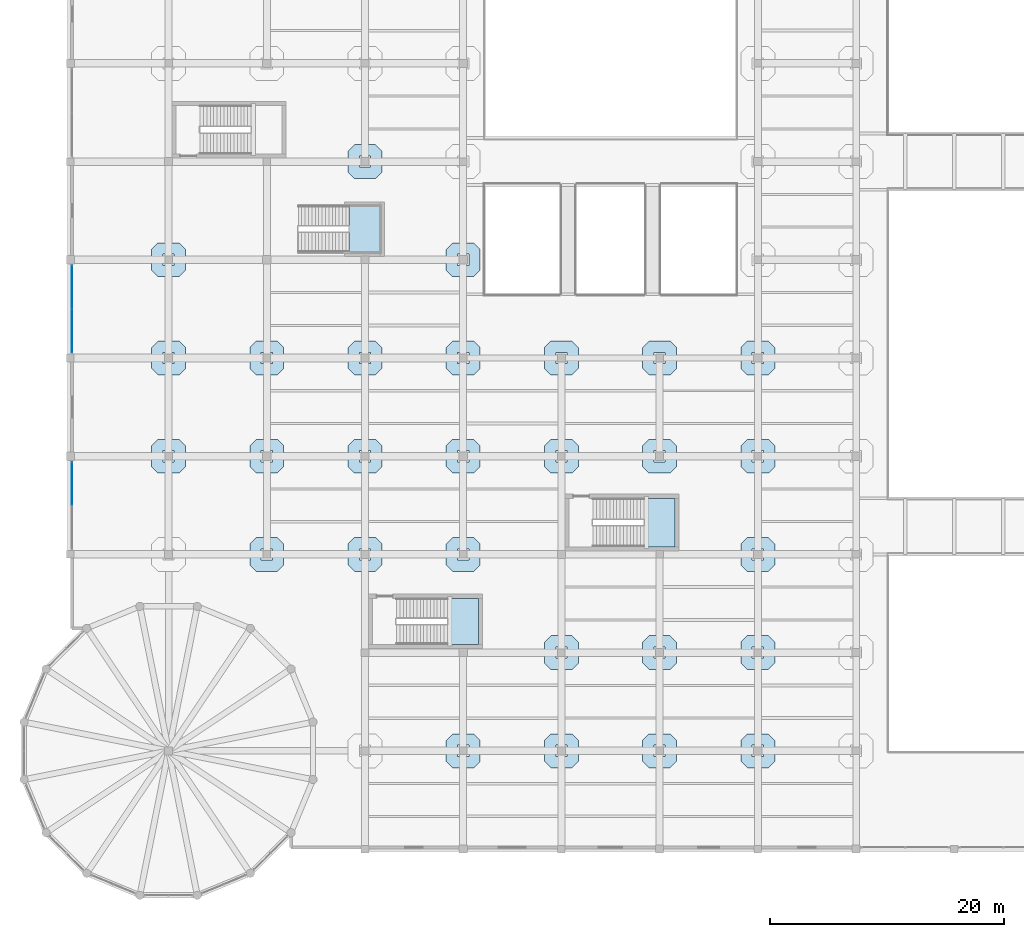
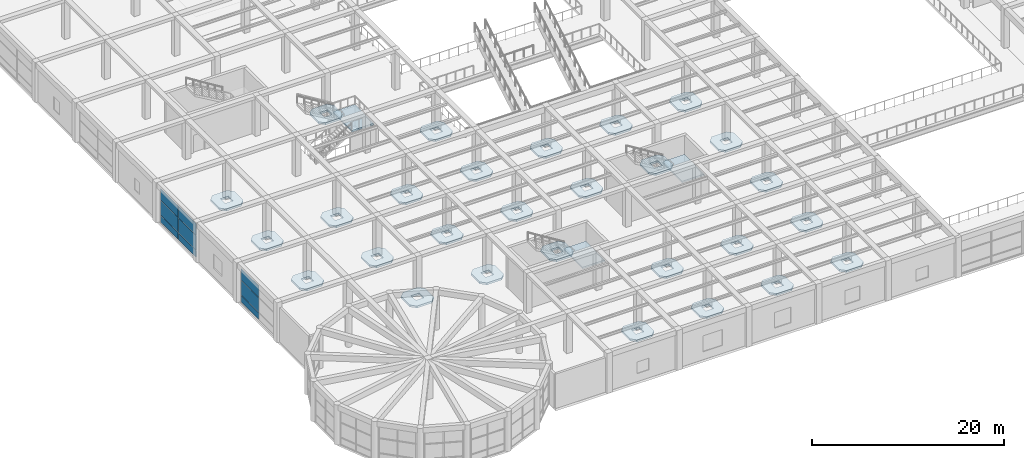
# One storey, part 69 of 95: 31 slabs, 9 plates, 5 elements without a shape of their own.
"""IFC4 building model written with IfcOpenShell, lengths in metres."""

from ifc_helpers import new_model, si_unit, direction, frame, origin, origin_2d, place, context, subcontext, project, spatial, polyline, rectangle, outline, extrude, material, layer, layer_set, type_object, element, aggregate, save


model = new_model("IFC4")

# Units and contexts
model_context = context("Model", 3, precision=1e-05, world=origin(), true_north=direction((0.0, 1.0)))
body_context = subcontext(model_context, "Body", "Model", "MODEL_VIEW")
ifc_project = project(units=[si_unit("LENGTHUNIT", "METRE"), si_unit("AREAUNIT", "SQUARE_METRE"), si_unit("VOLUMEUNIT", "CUBIC_METRE"), si_unit("PLANEANGLEUNIT", "RADIAN"), si_unit("MASSUNIT", "GRAM", prefix="KILO")], contexts=[model_context])

# Site, building, storey
site_placement = place(None, origin())
site = spatial("IfcSite", under=ifc_project, at=site_placement, CompositionType="ELEMENT")
building_placement = place(site_placement, origin())
building = spatial("IfcBuilding", under=site, at=building_placement, Name="Almacenes y Pasaje Nevantli", CompositionType="ELEMENT")
storey_placement = place(building_placement, frame((0.0, 0.0, 11.39990234375)))
storey = spatial("IfcBuildingStorey", under=building, at=storey_placement, Name="L03", CompositionType="ELEMENT", Elevation=11.39990234375)

# Curtain wall, plates
ifc_material_1 = material(Name="Thermally Broken Aluminium and Low-E Glass", Category="aluminium")
curtain_wall_type = type_object("IfcCurtainWallType", Name="CW-UNIT-PODIUM", PredefinedType="USERDEFINED", material=ifc_material_1)
curtain_wall_1_placement = place(storey_placement, origin())
curtain_wall_1 = element("IfcCurtainWall", 1, at=curtain_wall_1_placement, inside=storey, type_object=curtain_wall_type, Name="L03 West Avenue Unitized Curtain Wall Bay 4", ObjectType="UNITIZED CURTAIN WALL", PredefinedType="USERDEFINED")
ifc_material_2 = material(Name="Low-E Double Glazed Insulated Unit", Category="glass")
ifc_layer_1 = layer(ifc_material_2, 0.031982421875)
ifc_layer_set_1 = layer_set([ifc_layer_1], Name="Low-E Double Glazed Insulated Unit")
plate_type = type_object("IfcPlateType", Name="PL-IGU-32", PredefinedType="CURTAIN_PANEL", material=ifc_layer_set_1)
plate_1_placement = place(storey_placement, frame((0.14990234375, 31.26123046875, 0.05517578125), z_axis=(0.0, 0.0, 1.0), x_axis=(0.0, 1.0, 0.0)))
plate_1 = element("IfcPlate", 2, at=plate_1_placement, type_object=plate_type, Name="CW-L03-048 panel 2.1", PredefinedType="CURTAIN_PANEL", context=body_context, shape_type="SweptSolid", body=[
    extrude(rectangle(XDim=3.66748046875, YDim=0.031982421875, at=origin_2d()), origin(), (0.0, 0.0, 1.0), 0.867431640625),
])
plate_2_placement = place(storey_placement, frame((0.14990234375, 31.26123046875, 0.9775390625), z_axis=(0.0, 0.0, 1.0), x_axis=(0.0, 1.0, 0.0)))
plate_2 = element("IfcPlate", 3, at=plate_2_placement, type_object=plate_type, Name="CW-L03-048 panel 2.2", PredefinedType="CURTAIN_PANEL", context=body_context, shape_type="SweptSolid", body=[
    extrude(rectangle(XDim=3.66748046875, YDim=0.031982421875, at=origin_2d()), origin(), (0.0, 0.0, 1.0), 1.844970703125),
])
plate_3_placement = place(storey_placement, frame((0.14990234375, 31.26123046875, 2.87744140625), z_axis=(0.0, 0.0, 1.0), x_axis=(0.0, 1.0, 0.0)))
plate_3 = element("IfcPlate", 4, at=plate_3_placement, type_object=plate_type, Name="CW-L03-048 panel 2.3", PredefinedType="CURTAIN_PANEL", context=body_context, shape_type="SweptSolid", body=[
    extrude(rectangle(XDim=3.66748046875, YDim=0.031982421875, at=origin_2d()), origin(), (0.0, 0.0, 1.0), 1.447509765625),
])
aggregate(curtain_wall_1, [plate_1, plate_2, plate_3])

curtain_wall_2_placement = place(storey_placement, origin())
curtain_wall_2 = element("IfcCurtainWall", 5, at=curtain_wall_2_placement, inside=storey, type_object=curtain_wall_type, Name="L03 West Avenue Unitized Curtain Wall Bay 6", ObjectType="UNITIZED CURTAIN WALL", PredefinedType="USERDEFINED")
plate_4_placement = place(storey_placement, frame((0.14990234375, 44.3388671875, 0.05517578125), z_axis=(0.0, 0.0, 1.0), x_axis=(0.0, 1.0, 0.0)))
plate_4 = element("IfcPlate", 6, at=plate_4_placement, type_object=plate_type, Name="CW-L03-049 panel 1.1", PredefinedType="CURTAIN_PANEL", context=body_context, shape_type="SweptSolid", body=[
    extrude(rectangle(XDim=3.66748046875, YDim=0.031982421875, at=origin_2d()), origin(), (0.0, 0.0, 1.0), 0.867431640625),
])
plate_5_placement = place(storey_placement, frame((0.14990234375, 44.3388671875, 0.9775390625), z_axis=(0.0, 0.0, 1.0), x_axis=(0.0, 1.0, 0.0)))
plate_5 = element("IfcPlate", 7, at=plate_5_placement, type_object=plate_type, Name="CW-L03-049 panel 1.2", PredefinedType="CURTAIN_PANEL", context=body_context, shape_type="SweptSolid", body=[
    extrude(rectangle(XDim=3.66748046875, YDim=0.031982421875, at=origin_2d()), origin(), (0.0, 0.0, 1.0), 1.844970703125),
])
plate_6_placement = place(storey_placement, frame((0.14990234375, 44.3388671875, 2.87744140625), z_axis=(0.0, 0.0, 1.0), x_axis=(0.0, 1.0, 0.0)))
plate_6 = element("IfcPlate", 8, at=plate_6_placement, type_object=plate_type, Name="CW-L03-049 panel 1.3", PredefinedType="CURTAIN_PANEL", context=body_context, shape_type="SweptSolid", body=[
    extrude(rectangle(XDim=3.66748046875, YDim=0.031982421875, at=origin_2d()), origin(), (0.0, 0.0, 1.0), 1.447509765625),
])
plate_7_placement = place(storey_placement, frame((0.14990234375, 48.061279296875, 0.05517578125), z_axis=(0.0, 0.0, 1.0), x_axis=(0.0, 1.0, 0.0)))
plate_7 = element("IfcPlate", 9, at=plate_7_placement, type_object=plate_type, Name="CW-L03-049 panel 2.1", PredefinedType="CURTAIN_PANEL", context=body_context, shape_type="SweptSolid", body=[
    extrude(rectangle(XDim=3.66748046875, YDim=0.031982421875, at=origin_2d()), origin(), (0.0, 0.0, 1.0), 0.867431640625),
])
plate_8_placement = place(storey_placement, frame((0.14990234375, 48.061279296875, 0.9775390625), z_axis=(0.0, 0.0, 1.0), x_axis=(0.0, 1.0, 0.0)))
plate_8 = element("IfcPlate", 10, at=plate_8_placement, type_object=plate_type, Name="CW-L03-049 panel 2.2", PredefinedType="CURTAIN_PANEL", context=body_context, shape_type="SweptSolid", body=[
    extrude(rectangle(XDim=3.66748046875, YDim=0.031982421875, at=origin_2d()), origin(), (0.0, 0.0, 1.0), 1.844970703125),
])
plate_9_placement = place(storey_placement, frame((0.14990234375, 48.061279296875, 2.87744140625), z_axis=(0.0, 0.0, 1.0), x_axis=(0.0, 1.0, 0.0)))
plate_9 = element("IfcPlate", 11, at=plate_9_placement, type_object=plate_type, Name="CW-L03-049 panel 2.3", PredefinedType="CURTAIN_PANEL", context=body_context, shape_type="SweptSolid", body=[
    extrude(rectangle(XDim=3.66748046875, YDim=0.031982421875, at=origin_2d()), origin(), (0.0, 0.0, 1.0), 1.447509765625),
])
aggregate(curtain_wall_2, [plate_4, plate_5, plate_6, plate_7, plate_8, plate_9])

# Slabs
ifc_material_3 = material(Name="Concrete C35/45", Category="concrete")
ifc_layer_2 = layer(ifc_material_3, 0.25)
ifc_layer_set_2 = layer_set([ifc_layer_2], Name="Concrete C35/45")
slab_type_1 = type_object("IfcSlabType", Name="SLB-DP-250", PredefinedType="USERDEFINED", material=ifc_layer_set_2)
slab_1_placement = place(storey_placement, frame((0.0, 0.0, -0.5498046875)))
element("IfcSlab", 12, at=slab_1_placement, inside=storey, type_object=slab_type_1, Name="L03 Punching-Shear Drop Panel DP-02 #576", ObjectType="DROP PANEL", PredefinedType="USERDEFINED", context=body_context, shape_type="SweptSolid", body=[
    extrude(outline(polyline([(7.5, 32.14990234375), (9.300048828125, 32.14990234375), (9.85009765625, 32.699951171875), (9.85009765625, 34.5), (9.300048828125, 35.050048828125), (7.5, 35.050048828125), (6.949951171875, 34.5), (6.949951171875, 32.699951171875), (7.5, 32.14990234375)]), holes=[polyline([(7.919921875, 33.1201171875), (8.8798828125, 33.1201171875), (8.8798828125, 34.080078125), (7.919921875, 34.080078125), (7.919921875, 33.1201171875)])]), origin(), (0.0, 0.0, 1.0), 0.25),
])
slab_2_placement = place(storey_placement, frame((0.0, 0.0, -0.5498046875)))
element("IfcSlab", 13, at=slab_2_placement, inside=storey, type_object=slab_type_1, Name="L03 Punching-Shear Drop Panel DP-02 #577", ObjectType="DROP PANEL", PredefinedType="USERDEFINED", context=body_context, shape_type="SweptSolid", body=[
    extrude(outline(polyline([(7.5, 40.550048828125), (9.300048828125, 40.550048828125), (9.85009765625, 41.10009765625), (9.85009765625, 42.89990234375), (9.300048828125, 43.449951171875), (7.5, 43.449951171875), (6.949951171875, 42.89990234375), (6.949951171875, 41.10009765625), (7.5, 40.550048828125)]), holes=[polyline([(7.919921875, 41.52001953125), (8.8798828125, 41.52001953125), (8.8798828125, 42.47998046875), (7.919921875, 42.47998046875), (7.919921875, 41.52001953125)])]), origin(), (0.0, 0.0, 1.0), 0.25),
])
slab_3_placement = place(storey_placement, frame((0.0, 0.0, -0.5498046875)))
element("IfcSlab", 14, at=slab_3_placement, inside=storey, type_object=slab_type_1, Name="L03 Punching-Shear Drop Panel DP-02 #578", ObjectType="DROP PANEL", PredefinedType="USERDEFINED", context=body_context, shape_type="SweptSolid", body=[
    extrude(outline(polyline([(7.5, 48.949951171875), (9.300048828125, 48.949951171875), (9.85009765625, 49.5), (9.85009765625, 51.300048828125), (9.300048828125, 51.85009765625), (7.5, 51.85009765625), (6.949951171875, 51.300048828125), (6.949951171875, 49.5), (7.5, 48.949951171875)]), holes=[polyline([(7.919921875, 49.919921875), (8.8798828125, 49.919921875), (8.8798828125, 50.8798828125), (7.919921875, 50.8798828125), (7.919921875, 49.919921875)])]), origin(), (0.0, 0.0, 1.0), 0.25),
])
slab_4_placement = place(storey_placement, frame((0.0, 0.0, -0.5498046875)))
element("IfcSlab", 15, at=slab_4_placement, inside=storey, type_object=slab_type_1, Name="L03 Punching-Shear Drop Panel DP-02 #584", ObjectType="DROP PANEL", PredefinedType="USERDEFINED", context=body_context, shape_type="SweptSolid", body=[
    extrude(outline(polyline([(15.89990234375, 23.75), (17.699951171875, 23.75), (18.25, 24.300048828125), (18.25, 26.10009765625), (17.699951171875, 26.64990234375), (15.89990234375, 26.64990234375), (15.35009765625, 26.10009765625), (15.35009765625, 24.300048828125), (15.89990234375, 23.75)]), holes=[polyline([(16.320068359375, 24.719970703125), (17.280029296875, 24.719970703125), (17.280029296875, 25.679931640625), (16.320068359375, 25.679931640625), (16.320068359375, 24.719970703125)])]), origin(), (0.0, 0.0, 1.0), 0.25),
])
slab_5_placement = place(storey_placement, frame((0.0, 0.0, -0.5498046875)))
element("IfcSlab", 16, at=slab_5_placement, inside=storey, type_object=slab_type_1, Name="L03 Punching-Shear Drop Panel DP-02 #585", ObjectType="DROP PANEL", PredefinedType="USERDEFINED", context=body_context, shape_type="SweptSolid", body=[
    extrude(outline(polyline([(15.89990234375, 32.14990234375), (17.699951171875, 32.14990234375), (18.25, 32.699951171875), (18.25, 34.5), (17.699951171875, 35.050048828125), (15.89990234375, 35.050048828125), (15.35009765625, 34.5), (15.35009765625, 32.699951171875), (15.89990234375, 32.14990234375)]), holes=[polyline([(16.320068359375, 33.1201171875), (17.280029296875, 33.1201171875), (17.280029296875, 34.080078125), (16.320068359375, 34.080078125), (16.320068359375, 33.1201171875)])]), origin(), (0.0, 0.0, 1.0), 0.25),
])
slab_6_placement = place(storey_placement, frame((0.0, 0.0, -0.5498046875)))
element("IfcSlab", 17, at=slab_6_placement, inside=storey, type_object=slab_type_1, Name="L03 Punching-Shear Drop Panel DP-02 #586", ObjectType="DROP PANEL", PredefinedType="USERDEFINED", context=body_context, shape_type="SweptSolid", body=[
    extrude(outline(polyline([(15.89990234375, 40.550048828125), (17.699951171875, 40.550048828125), (18.25, 41.10009765625), (18.25, 42.89990234375), (17.699951171875, 43.449951171875), (15.89990234375, 43.449951171875), (15.35009765625, 42.89990234375), (15.35009765625, 41.10009765625), (15.89990234375, 40.550048828125)]), holes=[polyline([(16.320068359375, 41.52001953125), (17.280029296875, 41.52001953125), (17.280029296875, 42.47998046875), (16.320068359375, 42.47998046875), (16.320068359375, 41.52001953125)])]), origin(), (0.0, 0.0, 1.0), 0.25),
])
slab_7_placement = place(storey_placement, frame((0.0, 0.0, -0.5498046875)))
element("IfcSlab", 18, at=slab_7_placement, inside=storey, type_object=slab_type_1, Name="L03 Punching-Shear Drop Panel DP-02 #593", ObjectType="DROP PANEL", PredefinedType="USERDEFINED", context=body_context, shape_type="SweptSolid", body=[
    extrude(outline(polyline([(24.300048828125, 23.75), (26.10009765625, 23.75), (26.64990234375, 24.300048828125), (26.64990234375, 26.10009765625), (26.10009765625, 26.64990234375), (24.300048828125, 26.64990234375), (23.75, 26.10009765625), (23.75, 24.300048828125), (24.300048828125, 23.75)]), holes=[polyline([(24.719970703125, 24.719970703125), (25.679931640625, 24.719970703125), (25.679931640625, 25.679931640625), (24.719970703125, 25.679931640625), (24.719970703125, 24.719970703125)])]), origin(), (0.0, 0.0, 1.0), 0.25),
])
slab_8_placement = place(storey_placement, frame((0.0, 0.0, -0.5498046875)))
element("IfcSlab", 19, at=slab_8_placement, inside=storey, type_object=slab_type_1, Name="L03 Punching-Shear Drop Panel DP-02 #594", ObjectType="DROP PANEL", PredefinedType="USERDEFINED", context=body_context, shape_type="SweptSolid", body=[
    extrude(outline(polyline([(24.300048828125, 32.14990234375), (26.10009765625, 32.14990234375), (26.64990234375, 32.699951171875), (26.64990234375, 34.5), (26.10009765625, 35.050048828125), (24.300048828125, 35.050048828125), (23.75, 34.5), (23.75, 32.699951171875), (24.300048828125, 32.14990234375)]), holes=[polyline([(24.719970703125, 33.1201171875), (25.679931640625, 33.1201171875), (25.679931640625, 34.080078125), (24.719970703125, 34.080078125), (24.719970703125, 33.1201171875)])]), origin(), (0.0, 0.0, 1.0), 0.25),
])
slab_9_placement = place(storey_placement, frame((0.0, 0.0, -0.5498046875)))
element("IfcSlab", 20, at=slab_9_placement, inside=storey, type_object=slab_type_1, Name="L03 Punching-Shear Drop Panel DP-02 #595", ObjectType="DROP PANEL", PredefinedType="USERDEFINED", context=body_context, shape_type="SweptSolid", body=[
    extrude(outline(polyline([(24.300048828125, 40.550048828125), (26.10009765625, 40.550048828125), (26.64990234375, 41.10009765625), (26.64990234375, 42.89990234375), (26.10009765625, 43.449951171875), (24.300048828125, 43.449951171875), (23.75, 42.89990234375), (23.75, 41.10009765625), (24.300048828125, 40.550048828125)]), holes=[polyline([(24.719970703125, 41.52001953125), (25.679931640625, 41.52001953125), (25.679931640625, 42.47998046875), (24.719970703125, 42.47998046875), (24.719970703125, 41.52001953125)])]), origin(), (0.0, 0.0, 1.0), 0.25),
])
slab_10_placement = place(storey_placement, frame((0.0, 0.0, -0.5498046875)))
element("IfcSlab", 21, at=slab_10_placement, inside=storey, type_object=slab_type_1, Name="L03 Punching-Shear Drop Panel DP-02 #596", ObjectType="DROP PANEL", PredefinedType="USERDEFINED", context=body_context, shape_type="SweptSolid", body=[
    extrude(outline(polyline([(24.300048828125, 57.35009765625), (26.10009765625, 57.35009765625), (26.64990234375, 57.89990234375), (26.64990234375, 59.699951171875), (26.10009765625, 60.25), (24.300048828125, 60.25), (23.75, 59.699951171875), (23.75, 57.89990234375), (24.300048828125, 57.35009765625)]), holes=[polyline([(24.719970703125, 58.320068359375), (25.679931640625, 58.320068359375), (25.679931640625, 59.280029296875), (24.719970703125, 59.280029296875), (24.719970703125, 58.320068359375)])]), origin(), (0.0, 0.0, 1.0), 0.25),
])
slab_11_placement = place(storey_placement, frame((0.0, 0.0, -0.5498046875)))
element("IfcSlab", 22, at=slab_11_placement, inside=storey, type_object=slab_type_1, Name="L03 Punching-Shear Drop Panel DP-02 #603", ObjectType="DROP PANEL", PredefinedType="USERDEFINED", context=body_context, shape_type="SweptSolid", body=[
    extrude(outline(polyline([(32.699951171875, 6.949951171875), (34.5, 6.949951171875), (35.050048828125, 7.5), (35.050048828125, 9.300048828125), (34.5, 9.85009765625), (32.699951171875, 9.85009765625), (32.14990234375, 9.300048828125), (32.14990234375, 7.5), (32.699951171875, 6.949951171875)]), holes=[polyline([(33.1201171875, 7.919921875), (34.080078125, 7.919921875), (34.080078125, 8.8798828125), (33.1201171875, 8.8798828125), (33.1201171875, 7.919921875)])]), origin(), (0.0, 0.0, 1.0), 0.25),
])
slab_12_placement = place(storey_placement, frame((0.0, 0.0, -0.5498046875)))
element("IfcSlab", 23, at=slab_12_placement, inside=storey, type_object=slab_type_1, Name="L03 Punching-Shear Drop Panel DP-02 #604", ObjectType="DROP PANEL", PredefinedType="USERDEFINED", context=body_context, shape_type="SweptSolid", body=[
    extrude(outline(polyline([(32.699951171875, 23.75), (34.5, 23.75), (35.050048828125, 24.300048828125), (35.050048828125, 26.10009765625), (34.5, 26.64990234375), (32.699951171875, 26.64990234375), (32.14990234375, 26.10009765625), (32.14990234375, 24.300048828125), (32.699951171875, 23.75)]), holes=[polyline([(33.1201171875, 24.719970703125), (34.080078125, 24.719970703125), (34.080078125, 25.679931640625), (33.1201171875, 25.679931640625), (33.1201171875, 24.719970703125)])]), origin(), (0.0, 0.0, 1.0), 0.25),
])
slab_13_placement = place(storey_placement, frame((0.0, 0.0, -0.5498046875)))
element("IfcSlab", 24, at=slab_13_placement, inside=storey, type_object=slab_type_1, Name="L03 Punching-Shear Drop Panel DP-02 #605", ObjectType="DROP PANEL", PredefinedType="USERDEFINED", context=body_context, shape_type="SweptSolid", body=[
    extrude(outline(polyline([(32.699951171875, 32.14990234375), (34.5, 32.14990234375), (35.050048828125, 32.699951171875), (35.050048828125, 34.5), (34.5, 35.050048828125), (32.699951171875, 35.050048828125), (32.14990234375, 34.5), (32.14990234375, 32.699951171875), (32.699951171875, 32.14990234375)]), holes=[polyline([(33.1201171875, 33.1201171875), (34.080078125, 33.1201171875), (34.080078125, 34.080078125), (33.1201171875, 34.080078125), (33.1201171875, 33.1201171875)])]), origin(), (0.0, 0.0, 1.0), 0.25),
])
slab_14_placement = place(storey_placement, frame((0.0, 0.0, -0.5498046875)))
element("IfcSlab", 25, at=slab_14_placement, inside=storey, type_object=slab_type_1, Name="L03 Punching-Shear Drop Panel DP-02 #606", ObjectType="DROP PANEL", PredefinedType="USERDEFINED", context=body_context, shape_type="SweptSolid", body=[
    extrude(outline(polyline([(32.699951171875, 40.550048828125), (34.5, 40.550048828125), (35.050048828125, 41.10009765625), (35.050048828125, 42.89990234375), (34.5, 43.449951171875), (32.699951171875, 43.449951171875), (32.14990234375, 42.89990234375), (32.14990234375, 41.10009765625), (32.699951171875, 40.550048828125)]), holes=[polyline([(33.1201171875, 41.52001953125), (34.080078125, 41.52001953125), (34.080078125, 42.47998046875), (33.1201171875, 42.47998046875), (33.1201171875, 41.52001953125)])]), origin(), (0.0, 0.0, 1.0), 0.25),
])
slab_15_placement = place(storey_placement, frame((0.0, 0.0, -0.5498046875)))
element("IfcSlab", 26, at=slab_15_placement, inside=storey, type_object=slab_type_1, Name="L03 Punching-Shear Drop Panel DP-02 #607", ObjectType="DROP PANEL", PredefinedType="USERDEFINED", context=body_context, shape_type="SweptSolid", body=[
    extrude(outline(polyline([(32.699951171875, 48.949951171875), (34.5, 48.949951171875), (35.050048828125, 49.5), (35.050048828125, 51.300048828125), (34.5, 51.85009765625), (32.699951171875, 51.85009765625), (32.14990234375, 51.300048828125), (32.14990234375, 49.5), (32.699951171875, 48.949951171875)]), holes=[polyline([(33.1201171875, 49.919921875), (34.080078125, 49.919921875), (34.080078125, 50.8798828125), (33.1201171875, 50.8798828125), (33.1201171875, 49.919921875)])]), origin(), (0.0, 0.0, 1.0), 0.25),
])
slab_16_placement = place(storey_placement, frame((0.0, 0.0, -0.5498046875)))
element("IfcSlab", 27, at=slab_16_placement, inside=storey, type_object=slab_type_1, Name="L03 Punching-Shear Drop Panel DP-02 #614", ObjectType="DROP PANEL", PredefinedType="USERDEFINED", context=body_context, shape_type="SweptSolid", body=[
    extrude(outline(polyline([(41.10009765625, 6.949951171875), (42.89990234375, 6.949951171875), (43.449951171875, 7.5), (43.449951171875, 9.300048828125), (42.89990234375, 9.85009765625), (41.10009765625, 9.85009765625), (40.550048828125, 9.300048828125), (40.550048828125, 7.5), (41.10009765625, 6.949951171875)]), holes=[polyline([(41.52001953125, 7.919921875), (42.47998046875, 7.919921875), (42.47998046875, 8.8798828125), (41.52001953125, 8.8798828125), (41.52001953125, 7.919921875)])]), origin(), (0.0, 0.0, 1.0), 0.25),
])
slab_17_placement = place(storey_placement, frame((0.0, 0.0, -0.5498046875)))
element("IfcSlab", 28, at=slab_17_placement, inside=storey, type_object=slab_type_1, Name="L03 Punching-Shear Drop Panel DP-02 #615", ObjectType="DROP PANEL", PredefinedType="USERDEFINED", context=body_context, shape_type="SweptSolid", body=[
    extrude(outline(polyline([(41.10009765625, 15.35009765625), (42.89990234375, 15.35009765625), (43.449951171875, 15.89990234375), (43.449951171875, 17.699951171875), (42.89990234375, 18.25), (41.10009765625, 18.25), (40.550048828125, 17.699951171875), (40.550048828125, 15.89990234375), (41.10009765625, 15.35009765625)]), holes=[polyline([(41.52001953125, 16.320068359375), (42.47998046875, 16.320068359375), (42.47998046875, 17.280029296875), (41.52001953125, 17.280029296875), (41.52001953125, 16.320068359375)])]), origin(), (0.0, 0.0, 1.0), 0.25),
])
slab_18_placement = place(storey_placement, frame((0.0, 0.0, -0.5498046875)))
element("IfcSlab", 29, at=slab_18_placement, inside=storey, type_object=slab_type_1, Name="L03 Punching-Shear Drop Panel DP-02 #616", ObjectType="DROP PANEL", PredefinedType="USERDEFINED", context=body_context, shape_type="SweptSolid", body=[
    extrude(outline(polyline([(41.10009765625, 32.14990234375), (42.89990234375, 32.14990234375), (43.449951171875, 32.699951171875), (43.449951171875, 34.5), (42.89990234375, 35.050048828125), (41.10009765625, 35.050048828125), (40.550048828125, 34.5), (40.550048828125, 32.699951171875), (41.10009765625, 32.14990234375)]), holes=[polyline([(41.52001953125, 33.1201171875), (42.47998046875, 33.1201171875), (42.47998046875, 34.080078125), (41.52001953125, 34.080078125), (41.52001953125, 33.1201171875)])]), origin(), (0.0, 0.0, 1.0), 0.25),
])
slab_19_placement = place(storey_placement, frame((0.0, 0.0, -0.5498046875)))
element("IfcSlab", 30, at=slab_19_placement, inside=storey, type_object=slab_type_1, Name="L03 Punching-Shear Drop Panel DP-02 #617", ObjectType="DROP PANEL", PredefinedType="USERDEFINED", context=body_context, shape_type="SweptSolid", body=[
    extrude(outline(polyline([(41.10009765625, 40.550048828125), (42.89990234375, 40.550048828125), (43.449951171875, 41.10009765625), (43.449951171875, 42.89990234375), (42.89990234375, 43.449951171875), (41.10009765625, 43.449951171875), (40.550048828125, 42.89990234375), (40.550048828125, 41.10009765625), (41.10009765625, 40.550048828125)]), holes=[polyline([(41.52001953125, 41.52001953125), (42.47998046875, 41.52001953125), (42.47998046875, 42.47998046875), (41.52001953125, 42.47998046875), (41.52001953125, 41.52001953125)])]), origin(), (0.0, 0.0, 1.0), 0.25),
])
slab_20_placement = place(storey_placement, frame((0.0, 0.0, -0.5498046875)))
element("IfcSlab", 31, at=slab_20_placement, inside=storey, type_object=slab_type_1, Name="L03 Punching-Shear Drop Panel DP-02 #622", ObjectType="DROP PANEL", PredefinedType="USERDEFINED", context=body_context, shape_type="SweptSolid", body=[
    extrude(outline(polyline([(49.5, 6.949951171875), (51.300048828125, 6.949951171875), (51.85009765625, 7.5), (51.85009765625, 9.300048828125), (51.300048828125, 9.85009765625), (49.5, 9.85009765625), (48.949951171875, 9.300048828125), (48.949951171875, 7.5), (49.5, 6.949951171875)]), holes=[polyline([(49.919921875, 7.919921875), (50.8798828125, 7.919921875), (50.8798828125, 8.8798828125), (49.919921875, 8.8798828125), (49.919921875, 7.919921875)])]), origin(), (0.0, 0.0, 1.0), 0.25),
])
slab_21_placement = place(storey_placement, frame((0.0, 0.0, -0.5498046875)))
element("IfcSlab", 32, at=slab_21_placement, inside=storey, type_object=slab_type_1, Name="L03 Punching-Shear Drop Panel DP-02 #623", ObjectType="DROP PANEL", PredefinedType="USERDEFINED", context=body_context, shape_type="SweptSolid", body=[
    extrude(outline(polyline([(49.5, 15.35009765625), (51.300048828125, 15.35009765625), (51.85009765625, 15.89990234375), (51.85009765625, 17.699951171875), (51.300048828125, 18.25), (49.5, 18.25), (48.949951171875, 17.699951171875), (48.949951171875, 15.89990234375), (49.5, 15.35009765625)]), holes=[polyline([(49.919921875, 16.320068359375), (50.8798828125, 16.320068359375), (50.8798828125, 17.280029296875), (49.919921875, 17.280029296875), (49.919921875, 16.320068359375)])]), origin(), (0.0, 0.0, 1.0), 0.25),
])
slab_22_placement = place(storey_placement, frame((0.0, 0.0, -0.5498046875)))
element("IfcSlab", 33, at=slab_22_placement, inside=storey, type_object=slab_type_1, Name="L03 Punching-Shear Drop Panel DP-02 #624", ObjectType="DROP PANEL", PredefinedType="USERDEFINED", context=body_context, shape_type="SweptSolid", body=[
    extrude(outline(polyline([(49.5, 32.14990234375), (51.300048828125, 32.14990234375), (51.85009765625, 32.699951171875), (51.85009765625, 34.5), (51.300048828125, 35.050048828125), (49.5, 35.050048828125), (48.949951171875, 34.5), (48.949951171875, 32.699951171875), (49.5, 32.14990234375)]), holes=[polyline([(49.919921875, 33.1201171875), (50.8798828125, 33.1201171875), (50.8798828125, 34.080078125), (49.919921875, 34.080078125), (49.919921875, 33.1201171875)])]), origin(), (0.0, 0.0, 1.0), 0.25),
])
slab_23_placement = place(storey_placement, frame((0.0, 0.0, -0.5498046875)))
element("IfcSlab", 34, at=slab_23_placement, inside=storey, type_object=slab_type_1, Name="L03 Punching-Shear Drop Panel DP-02 #625", ObjectType="DROP PANEL", PredefinedType="USERDEFINED", context=body_context, shape_type="SweptSolid", body=[
    extrude(outline(polyline([(49.5, 40.550048828125), (51.300048828125, 40.550048828125), (51.85009765625, 41.10009765625), (51.85009765625, 42.89990234375), (51.300048828125, 43.449951171875), (49.5, 43.449951171875), (48.949951171875, 42.89990234375), (48.949951171875, 41.10009765625), (49.5, 40.550048828125)]), holes=[polyline([(49.919921875, 41.52001953125), (50.8798828125, 41.52001953125), (50.8798828125, 42.47998046875), (49.919921875, 42.47998046875), (49.919921875, 41.52001953125)])]), origin(), (0.0, 0.0, 1.0), 0.25),
])
slab_24_placement = place(storey_placement, frame((0.0, 0.0, -0.5498046875)))
element("IfcSlab", 35, at=slab_24_placement, inside=storey, type_object=slab_type_1, Name="L03 Punching-Shear Drop Panel DP-02 #630", ObjectType="DROP PANEL", PredefinedType="USERDEFINED", context=body_context, shape_type="SweptSolid", body=[
    extrude(outline(polyline([(57.89990234375, 6.949951171875), (59.699951171875, 6.949951171875), (60.25, 7.5), (60.25, 9.300048828125), (59.699951171875, 9.85009765625), (57.89990234375, 9.85009765625), (57.35009765625, 9.300048828125), (57.35009765625, 7.5), (57.89990234375, 6.949951171875)]), holes=[polyline([(58.320068359375, 7.919921875), (59.280029296875, 7.919921875), (59.280029296875, 8.8798828125), (58.320068359375, 8.8798828125), (58.320068359375, 7.919921875)])]), origin(), (0.0, 0.0, 1.0), 0.25),
])
slab_25_placement = place(storey_placement, frame((0.0, 0.0, -0.5498046875)))
element("IfcSlab", 36, at=slab_25_placement, inside=storey, type_object=slab_type_1, Name="L03 Punching-Shear Drop Panel DP-02 #631", ObjectType="DROP PANEL", PredefinedType="USERDEFINED", context=body_context, shape_type="SweptSolid", body=[
    extrude(outline(polyline([(57.89990234375, 15.35009765625), (59.699951171875, 15.35009765625), (60.25, 15.89990234375), (60.25, 17.699951171875), (59.699951171875, 18.25), (57.89990234375, 18.25), (57.35009765625, 17.699951171875), (57.35009765625, 15.89990234375), (57.89990234375, 15.35009765625)]), holes=[polyline([(58.320068359375, 16.320068359375), (59.280029296875, 16.320068359375), (59.280029296875, 17.280029296875), (58.320068359375, 17.280029296875), (58.320068359375, 16.320068359375)])]), origin(), (0.0, 0.0, 1.0), 0.25),
])
slab_26_placement = place(storey_placement, frame((0.0, 0.0, -0.5498046875)))
element("IfcSlab", 37, at=slab_26_placement, inside=storey, type_object=slab_type_1, Name="L03 Punching-Shear Drop Panel DP-02 #632", ObjectType="DROP PANEL", PredefinedType="USERDEFINED", context=body_context, shape_type="SweptSolid", body=[
    extrude(outline(polyline([(57.89990234375, 23.75), (59.699951171875, 23.75), (60.25, 24.300048828125), (60.25, 26.10009765625), (59.699951171875, 26.64990234375), (57.89990234375, 26.64990234375), (57.35009765625, 26.10009765625), (57.35009765625, 24.300048828125), (57.89990234375, 23.75)]), holes=[polyline([(58.320068359375, 24.719970703125), (59.280029296875, 24.719970703125), (59.280029296875, 25.679931640625), (58.320068359375, 25.679931640625), (58.320068359375, 24.719970703125)])]), origin(), (0.0, 0.0, 1.0), 0.25),
])
slab_27_placement = place(storey_placement, frame((0.0, 0.0, -0.5498046875)))
element("IfcSlab", 38, at=slab_27_placement, inside=storey, type_object=slab_type_1, Name="L03 Punching-Shear Drop Panel DP-02 #633", ObjectType="DROP PANEL", PredefinedType="USERDEFINED", context=body_context, shape_type="SweptSolid", body=[
    extrude(outline(polyline([(57.89990234375, 32.14990234375), (59.699951171875, 32.14990234375), (60.25, 32.699951171875), (60.25, 34.5), (59.699951171875, 35.050048828125), (57.89990234375, 35.050048828125), (57.35009765625, 34.5), (57.35009765625, 32.699951171875), (57.89990234375, 32.14990234375)]), holes=[polyline([(58.320068359375, 33.1201171875), (59.280029296875, 33.1201171875), (59.280029296875, 34.080078125), (58.320068359375, 34.080078125), (58.320068359375, 33.1201171875)])]), origin(), (0.0, 0.0, 1.0), 0.25),
])
slab_28_placement = place(storey_placement, frame((0.0, 0.0, -0.5498046875)))
element("IfcSlab", 39, at=slab_28_placement, inside=storey, type_object=slab_type_1, Name="L03 Punching-Shear Drop Panel DP-02 #634", ObjectType="DROP PANEL", PredefinedType="USERDEFINED", context=body_context, shape_type="SweptSolid", body=[
    extrude(outline(polyline([(57.89990234375, 40.550048828125), (59.699951171875, 40.550048828125), (60.25, 41.10009765625), (60.25, 42.89990234375), (59.699951171875, 43.449951171875), (57.89990234375, 43.449951171875), (57.35009765625, 42.89990234375), (57.35009765625, 41.10009765625), (57.89990234375, 40.550048828125)]), holes=[polyline([(58.320068359375, 41.52001953125), (59.280029296875, 41.52001953125), (59.280029296875, 42.47998046875), (58.320068359375, 42.47998046875), (58.320068359375, 41.52001953125)])]), origin(), (0.0, 0.0, 1.0), 0.25),
])

# Stair, slab
ifc_material_4 = material(Name="Concrete C35/45", Category="concrete")
stair_type_1 = type_object("IfcStairType", Name="STR-CORE-1750", PredefinedType="HALF_TURN_STAIR", material=ifc_material_4)
stair_1_placement = place(storey_placement, origin())
stair_1 = element("IfcStair", 40, at=stair_1_placement, inside=storey, type_object=stair_type_1, Name="L03 Staircase ST-04", PredefinedType="HALF_TURN_STAIR")
ifc_material_5 = material(Name="Concrete C35/45", Category="concrete")
ifc_layer_3 = layer(ifc_material_5, 0.199951171875)
ifc_layer_set_3 = layer_set([ifc_layer_3], Name="Concrete C35/45")
slab_type_2 = type_object("IfcSlabType", Name="SLB-LAND-200", PredefinedType="LANDING", material=ifc_layer_set_3)
slab_29_placement = place(storey_placement, frame((0.0, 0.0, 2.5)))
slab_29 = element("IfcSlab", 41, at=slab_29_placement, type_object=slab_type_2, Name="ST-04-L03 landing 1", PredefinedType="LANDING", context=body_context, shape_type="SweptSolid", body=[
    extrude(outline(polyline([(32.235107421875, 17.5), (34.89990234375, 17.5), (34.89990234375, 21.449951171875), (32.235107421875, 21.449951171875), (32.235107421875, 17.5)])), origin(), (0.0, 0.0, 1.0), 0.2001953125),
])
aggregate(stair_1, [slab_29])

ifc_material_6 = material(Name="Concrete C35/45", Category="concrete")
stair_type_2 = type_object("IfcStairType", Name="STR-CORE-1850", PredefinedType="HALF_TURN_STAIR", material=ifc_material_6)
stair_2_placement = place(storey_placement, origin())
stair_2 = element("IfcStair", 42, at=stair_2_placement, inside=storey, type_object=stair_type_2, Name="L03 Staircase ST-14", PredefinedType="HALF_TURN_STAIR")
slab_30_placement = place(storey_placement, frame((0.0, 0.0, 2.5)))
slab_30 = element("IfcSlab", 43, at=slab_30_placement, type_object=slab_type_2, Name="ST-14-L03 landing 1", PredefinedType="LANDING", context=body_context, shape_type="SweptSolid", body=[
    extrude(outline(polyline([(49.034912109375, 25.85009765625), (51.699951171875, 25.85009765625), (51.699951171875, 30.0), (49.034912109375, 30.0), (49.034912109375, 25.85009765625)])), origin(), (0.0, 0.0, 1.0), 0.2001953125),
])
aggregate(stair_2, [slab_30])

ifc_material_7 = material(Name="Concrete C35/45", Category="concrete")
stair_type_3 = type_object("IfcStairType", Name="STR-FEAT-1750", PredefinedType="HALF_TURN_STAIR", material=ifc_material_7)
stair_3_placement = place(storey_placement, origin())
stair_3 = element("IfcStair", 44, at=stair_3_placement, inside=storey, type_object=stair_type_3, Name="L03 Staircase ST-11", PredefinedType="HALF_TURN_STAIR")
slab_31_placement = place(storey_placement, frame((0.0, 0.0, 2.5)))
slab_31 = element("IfcSlab", 45, at=slab_31_placement, type_object=slab_type_2, Name="ST-11-L03 landing 1", PredefinedType="LANDING", context=body_context, shape_type="SweptSolid", body=[
    extrude(outline(polyline([(23.8349609375, 51.050048828125), (26.5, 51.050048828125), (26.5, 55.0), (23.8349609375, 55.0), (23.8349609375, 51.050048828125)])), origin(), (0.0, 0.0, 1.0), 0.2001953125),
])
aggregate(stair_3, [slab_31])

save(model, "model.ifc")
